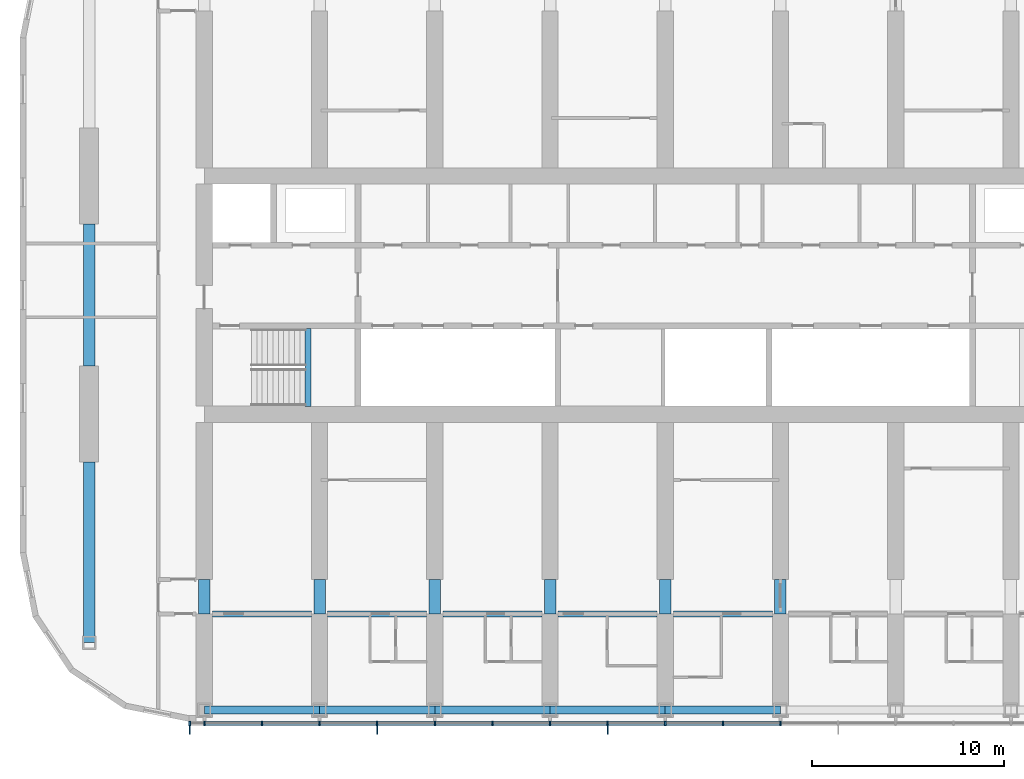
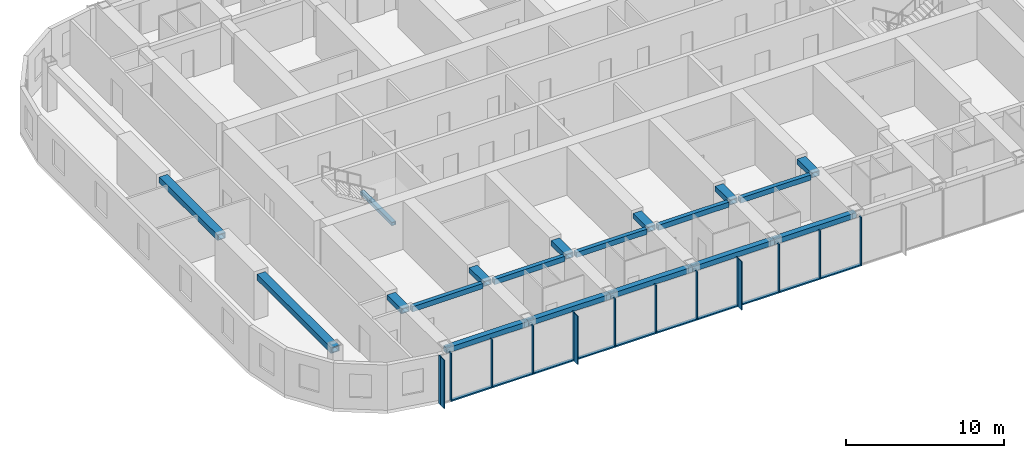
# One storey, part 2 of 22: 25 members, 19 beams, 1 element without a shape of its own.
"""IFC4 building model written with IfcOpenShell, lengths in metres."""

from ifc_helpers import new_model, si_unit, direction, frame, origin, origin_2d, place, context, subcontext, project, spatial, rectangle, hollow_rectangle, extrude, material, material_profile, profile_set, type_object, element, aggregate, save


model = new_model("IFC4")

# Units and contexts
model_context = context("Model", 3, precision=1e-05, world=origin(), true_north=direction((0.0, 1.0)))
body_context = subcontext(model_context, "Body", "Model", "MODEL_VIEW")
ifc_project = project(units=[si_unit("LENGTHUNIT", "METRE"), si_unit("AREAUNIT", "SQUARE_METRE"), si_unit("VOLUMEUNIT", "CUBIC_METRE"), si_unit("PLANEANGLEUNIT", "RADIAN"), si_unit("MASSUNIT", "GRAM", prefix="KILO")], contexts=[model_context])

# Site, building, storey
site_placement = place(None, origin())
site = spatial("IfcSite", under=ifc_project, at=site_placement, CompositionType="ELEMENT")
building_placement = place(site_placement, origin())
building = spatial("IfcBuilding", under=site, at=building_placement, Name="Orbita Commons", CompositionType="ELEMENT")
storey_placement = place(building_placement, frame((0.0, 0.0, 186.10009765625)))
storey = spatial("IfcBuildingStorey", under=building, at=storey_placement, Name="L46", CompositionType="ELEMENT", Elevation=186.10009765625)

# Curtain wall, members
ifc_material_1 = material(Name="Anodised aluminium frame, pale silver", Category="aluminium")
curtain_wall_type = type_object("IfcCurtainWallType", Name="Unitised curtain wall CW-U, full-height vision", PredefinedType="NOTDEFINED", material=ifc_material_1)
curtain_wall_placement = place(storey_placement, origin())
curtain_wall = element("IfcCurtainWall", 1, at=curtain_wall_placement, inside=storey, type_object=curtain_wall_type, Name="Curtain wall south L46", PredefinedType="NOTDEFINED")
ifc_material_2 = material(Name="Anodised aluminium, pale silver", Category="aluminium")
ifc_material_profile_1 = material_profile(ifc_material_2, rectangle(XDim=0.080078125, YDim=0.219970703125, at=origin_2d()), Name="AL 80x220")
ifc_profile_set_1 = profile_set([ifc_material_profile_1], Name="Anodised aluminium, pale silver")
member_type_1 = type_object("IfcMemberType", Name="Curtain wall mullion 80x220", PredefinedType="MULLION", material=ifc_profile_set_1)
member_1_placement = place(storey_placement, frame((17.239990234375, 9.68994140625, -0.25), z_axis=(0.0, 0.0, 1.0), x_axis=(1.0, 0.0, 0.0)))
member_1 = element("IfcMember", 2, at=member_1_placement, type_object=member_type_1, Name="Mullion 1 CW-L46-S", PredefinedType="MULLION", context=body_context, shape_type="SweptSolid", body=[
    extrude(rectangle(XDim=0.080078125, YDim=0.219970703125, at=origin_2d()), origin(), (0.0, 0.0, 1.0), 3.75),
])
member_2_placement = place(storey_placement, frame((18.0, 9.68994140625, -0.25), z_axis=(0.0, 0.0, 1.0), x_axis=(1.0, 0.0, 0.0)))
member_2 = element("IfcMember", 3, at=member_2_placement, type_object=member_type_1, Name="Mullion 2 CW-L46-S", PredefinedType="MULLION", context=body_context, shape_type="SweptSolid", body=[
    extrude(rectangle(XDim=0.080078125, YDim=0.219970703125, at=origin_2d()), origin(), (0.0, 0.0, 1.0), 3.75),
])
member_3_placement = place(storey_placement, frame((21.0, 9.68994140625, -0.25), z_axis=(0.0, 0.0, 1.0), x_axis=(1.0, 0.0, 0.0)))
member_3 = element("IfcMember", 4, at=member_3_placement, type_object=member_type_1, Name="Mullion 3 CW-L46-S", PredefinedType="MULLION", context=body_context, shape_type="SweptSolid", body=[
    extrude(rectangle(XDim=0.080078125, YDim=0.219970703125, at=origin_2d()), origin(), (0.0, 0.0, 1.0), 3.75),
])
member_4_placement = place(storey_placement, frame((24.0, 9.68994140625, -0.25), z_axis=(0.0, 0.0, 1.0), x_axis=(1.0, 0.0, 0.0)))
member_4 = element("IfcMember", 5, at=member_4_placement, type_object=member_type_1, Name="Mullion 4 CW-L46-S", PredefinedType="MULLION", context=body_context, shape_type="SweptSolid", body=[
    extrude(rectangle(XDim=0.080078125, YDim=0.219970703125, at=origin_2d()), origin(), (0.0, 0.0, 1.0), 3.75),
])
member_5_placement = place(storey_placement, frame((27.0, 9.68994140625, -0.25), z_axis=(0.0, 0.0, 1.0), x_axis=(1.0, 0.0, 0.0)))
member_5 = element("IfcMember", 6, at=member_5_placement, type_object=member_type_1, Name="Mullion 5 CW-L46-S", PredefinedType="MULLION", context=body_context, shape_type="SweptSolid", body=[
    extrude(rectangle(XDim=0.080078125, YDim=0.219970703125, at=origin_2d()), origin(), (0.0, 0.0, 1.0), 3.75),
])
member_6_placement = place(storey_placement, frame((30.0, 9.68994140625, -0.25), z_axis=(0.0, 0.0, 1.0), x_axis=(1.0, 0.0, 0.0)))
member_6 = element("IfcMember", 7, at=member_6_placement, type_object=member_type_1, Name="Mullion 6 CW-L46-S", PredefinedType="MULLION", context=body_context, shape_type="SweptSolid", body=[
    extrude(rectangle(XDim=0.080078125, YDim=0.219970703125, at=origin_2d()), origin(), (0.0, 0.0, 1.0), 3.75),
])
member_7_placement = place(storey_placement, frame((33.0, 9.68994140625, -0.25), z_axis=(0.0, 0.0, 1.0), x_axis=(1.0, 0.0, 0.0)))
member_7 = element("IfcMember", 8, at=member_7_placement, type_object=member_type_1, Name="Mullion 7 CW-L46-S", PredefinedType="MULLION", context=body_context, shape_type="SweptSolid", body=[
    extrude(rectangle(XDim=0.080078125, YDim=0.219970703125, at=origin_2d()), origin(), (0.0, 0.0, 1.0), 3.75),
])
member_8_placement = place(storey_placement, frame((36.0, 9.68994140625, -0.25), z_axis=(0.0, 0.0, 1.0), x_axis=(1.0, 0.0, 0.0)))
member_8 = element("IfcMember", 9, at=member_8_placement, type_object=member_type_1, Name="Mullion 8 CW-L46-S", PredefinedType="MULLION", context=body_context, shape_type="SweptSolid", body=[
    extrude(rectangle(XDim=0.080078125, YDim=0.219970703125, at=origin_2d()), origin(), (0.0, 0.0, 1.0), 3.75),
])
member_9_placement = place(storey_placement, frame((39.0, 9.68994140625, -0.25), z_axis=(0.0, 0.0, 1.0), x_axis=(1.0, 0.0, 0.0)))
member_9 = element("IfcMember", 10, at=member_9_placement, type_object=member_type_1, Name="Mullion 9 CW-L46-S", PredefinedType="MULLION", context=body_context, shape_type="SweptSolid", body=[
    extrude(rectangle(XDim=0.080078125, YDim=0.219970703125, at=origin_2d()), origin(), (0.0, 0.0, 1.0), 3.75),
])
member_10_placement = place(storey_placement, frame((42.0, 9.68994140625, -0.25), z_axis=(0.0, 0.0, 1.0), x_axis=(1.0, 0.0, 0.0)))
member_10 = element("IfcMember", 11, at=member_10_placement, type_object=member_type_1, Name="Mullion 10 CW-L46-S", PredefinedType="MULLION", context=body_context, shape_type="SweptSolid", body=[
    extrude(rectangle(XDim=0.080078125, YDim=0.219970703125, at=origin_2d()), origin(), (0.0, 0.0, 1.0), 3.75),
])
member_11_placement = place(storey_placement, frame((45.0, 9.68994140625, -0.25), z_axis=(0.0, 0.0, 1.0), x_axis=(1.0, 0.0, 0.0)))
member_11 = element("IfcMember", 12, at=member_11_placement, type_object=member_type_1, Name="Mullion 11 CW-L46-S", PredefinedType="MULLION", context=body_context, shape_type="SweptSolid", body=[
    extrude(rectangle(XDim=0.080078125, YDim=0.219970703125, at=origin_2d()), origin(), (0.0, 0.0, 1.0), 3.75),
])
member_12_placement = place(storey_placement, frame((48.0, 9.68994140625, -0.25), z_axis=(0.0, 0.0, 1.0), x_axis=(1.0, 0.0, 0.0)))
member_12 = element("IfcMember", 13, at=member_12_placement, type_object=member_type_1, Name="Mullion 12 CW-L46-S", PredefinedType="MULLION", context=body_context, shape_type="SweptSolid", body=[
    extrude(rectangle(XDim=0.080078125, YDim=0.219970703125, at=origin_2d()), origin(), (0.0, 0.0, 1.0), 3.75),
])
ifc_material_3 = material(Name="Anodised aluminium, pale silver", Category="aluminium")
ifc_material_profile_2 = material_profile(ifc_material_3, rectangle(XDim=0.219970703125, YDim=0.10009765625, at=origin_2d()), Name="AL 220x100")
ifc_profile_set_2 = profile_set([ifc_material_profile_2], Name="Anodised aluminium, pale silver")
member_type_2 = type_object("IfcMemberType", Name="Curtain wall stack transom 220x100", PredefinedType="USERDEFINED", material=ifc_profile_set_2)
member_13_placement = place(storey_placement, frame((18.0400390625, 9.68994140625, -0.2001953125), z_axis=(1.0, 0.0, 0.0), x_axis=(0.0, 1.0, 0.0)))
member_13 = element("IfcMember", 14, at=member_13_placement, type_object=member_type_2, Name="Transom 2.1 CW-L46-S", ObjectType="TRANSOM", PredefinedType="USERDEFINED", context=body_context, shape_type="SweptSolid", body=[
    extrude(rectangle(XDim=0.219970703125, YDim=0.10009765625, at=origin_2d()), origin(), (0.0, 0.0, 1.0), 2.919921875),
])
member_14_placement = place(storey_placement, frame((21.0400390625, 9.68994140625, -0.2001953125), z_axis=(1.0, 0.0, 0.0), x_axis=(0.0, 1.0, 0.0)))
member_14 = element("IfcMember", 15, at=member_14_placement, type_object=member_type_2, Name="Transom 3.1 CW-L46-S", ObjectType="TRANSOM", PredefinedType="USERDEFINED", context=body_context, shape_type="SweptSolid", body=[
    extrude(rectangle(XDim=0.219970703125, YDim=0.10009765625, at=origin_2d()), origin(), (0.0, 0.0, 1.0), 2.919921875),
])
member_15_placement = place(storey_placement, frame((24.0400390625, 9.68994140625, -0.2001953125), z_axis=(1.0, 0.0, 0.0), x_axis=(0.0, 1.0, 0.0)))
member_15 = element("IfcMember", 16, at=member_15_placement, type_object=member_type_2, Name="Transom 4.1 CW-L46-S", ObjectType="TRANSOM", PredefinedType="USERDEFINED", context=body_context, shape_type="SweptSolid", body=[
    extrude(rectangle(XDim=0.219970703125, YDim=0.10009765625, at=origin_2d()), origin(), (0.0, 0.0, 1.0), 2.919921875),
])
member_16_placement = place(storey_placement, frame((27.0400390625, 9.68994140625, -0.2001953125), z_axis=(1.0, 0.0, 0.0), x_axis=(0.0, 1.0, 0.0)))
member_16 = element("IfcMember", 17, at=member_16_placement, type_object=member_type_2, Name="Transom 5.1 CW-L46-S", ObjectType="TRANSOM", PredefinedType="USERDEFINED", context=body_context, shape_type="SweptSolid", body=[
    extrude(rectangle(XDim=0.219970703125, YDim=0.10009765625, at=origin_2d()), origin(), (0.0, 0.0, 1.0), 2.919921875),
])
member_17_placement = place(storey_placement, frame((30.0400390625, 9.68994140625, -0.2001953125), z_axis=(1.0, 0.0, 0.0), x_axis=(0.0, 1.0, 0.0)))
member_17 = element("IfcMember", 18, at=member_17_placement, type_object=member_type_2, Name="Transom 6.1 CW-L46-S", ObjectType="TRANSOM", PredefinedType="USERDEFINED", context=body_context, shape_type="SweptSolid", body=[
    extrude(rectangle(XDim=0.219970703125, YDim=0.10009765625, at=origin_2d()), origin(), (0.0, 0.0, 1.0), 2.919921875),
])
member_18_placement = place(storey_placement, frame((33.0400390625, 9.68994140625, -0.2001953125), z_axis=(1.0, 0.0, 0.0), x_axis=(0.0, 1.0, 0.0)))
member_18 = element("IfcMember", 19, at=member_18_placement, type_object=member_type_2, Name="Transom 7.1 CW-L46-S", ObjectType="TRANSOM", PredefinedType="USERDEFINED", context=body_context, shape_type="SweptSolid", body=[
    extrude(rectangle(XDim=0.219970703125, YDim=0.10009765625, at=origin_2d()), origin(), (0.0, 0.0, 1.0), 2.919921875),
])
member_19_placement = place(storey_placement, frame((36.0400390625, 9.68994140625, -0.2001953125), z_axis=(1.0, 0.0, 0.0), x_axis=(0.0, 1.0, 0.0)))
member_19 = element("IfcMember", 20, at=member_19_placement, type_object=member_type_2, Name="Transom 8.1 CW-L46-S", ObjectType="TRANSOM", PredefinedType="USERDEFINED", context=body_context, shape_type="SweptSolid", body=[
    extrude(rectangle(XDim=0.219970703125, YDim=0.10009765625, at=origin_2d()), origin(), (0.0, 0.0, 1.0), 2.919921875),
])
member_20_placement = place(storey_placement, frame((39.0400390625, 9.68994140625, -0.2001953125), z_axis=(1.0, 0.0, 0.0), x_axis=(0.0, 1.0, 0.0)))
member_20 = element("IfcMember", 21, at=member_20_placement, type_object=member_type_2, Name="Transom 9.1 CW-L46-S", ObjectType="TRANSOM", PredefinedType="USERDEFINED", context=body_context, shape_type="SweptSolid", body=[
    extrude(rectangle(XDim=0.219970703125, YDim=0.10009765625, at=origin_2d()), origin(), (0.0, 0.0, 1.0), 2.919921875),
])
member_21_placement = place(storey_placement, frame((42.0400390625, 9.68994140625, -0.2001953125), z_axis=(1.0, 0.0, 0.0), x_axis=(0.0, 1.0, 0.0)))
member_21 = element("IfcMember", 22, at=member_21_placement, type_object=member_type_2, Name="Transom 10.1 CW-L46-S", ObjectType="TRANSOM", PredefinedType="USERDEFINED", context=body_context, shape_type="SweptSolid", body=[
    extrude(rectangle(XDim=0.219970703125, YDim=0.10009765625, at=origin_2d()), origin(), (0.0, 0.0, 1.0), 2.919921875),
])
member_22_placement = place(storey_placement, frame((45.0400390625, 9.68994140625, -0.2001953125), z_axis=(1.0, 0.0, 0.0), x_axis=(0.0, 1.0, 0.0)))
member_22 = element("IfcMember", 23, at=member_22_placement, type_object=member_type_2, Name="Transom 11.1 CW-L46-S", ObjectType="TRANSOM", PredefinedType="USERDEFINED", context=body_context, shape_type="SweptSolid", body=[
    extrude(rectangle(XDim=0.219970703125, YDim=0.10009765625, at=origin_2d()), origin(), (0.0, 0.0, 1.0), 2.919921875),
])

# Beams
ifc_material_4 = material(Name="Steel ASTM A572 Gr 50 welded plate", Category="steel")
ifc_material_profile_3 = material_profile(ifc_material_4, hollow_rectangle(XDim=0.300048828125, YDim=0.25, WallThickness=0.02490234375, at=origin_2d()), Name="BOX 250x300x25")
ifc_profile_set_3 = profile_set([ifc_material_profile_3], Name="Steel ASTM A572 Gr 50 welded plate")
beam_type_1 = type_object("IfcBeamType", Name="Stair landing beam steel BOX 250x300x25", PredefinedType="BEAM", material=ifc_profile_set_3)
beam_1_placement = place(storey_placement, frame((23.39990234375, 26.2099609375, 1.5498046875), z_axis=(0.0, 1.0, 0.0), x_axis=(-1.0, 0.0, 0.0)))
element("IfcBeam", 24, at=beam_1_placement, inside=storey, type_object=beam_type_1, Name="Stair S1 landing beam L46 1", PredefinedType="BEAM", context=body_context, shape_type="SweptSolid", body=[
    extrude(hollow_rectangle(XDim=0.300048828125, YDim=0.25, WallThickness=0.02490234375, at=origin_2d()), origin(), (0.0, 0.0, 1.0), 4.054931640625),
])
ifc_material_5 = material(Name="Steel ASTM A572 Gr 50 welded plate", Category="steel")
ifc_material_profile_4 = material_profile(ifc_material_5, hollow_rectangle(XDim=0.300048828125, YDim=0.39990234375, WallThickness=0.0400390625, at=origin_2d()), Name="BOX 400x300x40")
ifc_profile_set_4 = profile_set([ifc_material_profile_4], Name="Steel ASTM A572 Gr 50 welded plate")
beam_type_2 = type_object("IfcBeamType", Name="Steel corridor link BOX 400x300x40", PredefinedType="BEAM", material=ifc_profile_set_4)
for number, where, z_axis, x_axis, name in (
    (25, (18.425048828125, 15.39990234375, 3.2998046875), (1.0, 0.0, 0.0), (0.0, 1.0, 0.0), "Corridor beam SA 4-5 L46"),
    (26, (24.425048828125, 15.39990234375, 3.2998046875), (1.0, 0.0, 0.0), (0.0, 1.0, 0.0), "Corridor beam SA 5-6 L46"),
    (27, (30.425048828125, 15.39990234375, 3.2998046875), (1.0, 0.0, 0.0), (0.0, 1.0, 0.0), "Corridor beam SA 6-7 L46"),
    (28, (36.425048828125, 15.39990234375, 3.2998046875), (1.0, 0.0, 0.0), (0.0, 1.0, 0.0), "Corridor beam SA 7-8 L46"),
    (29, (42.425048828125, 15.39990234375, 3.2998046875), (1.0, 0.0, 0.0), (0.0, 1.0, 0.0), "Corridor beam SA 8-9 L46"),
):
    element("IfcBeam", number, at=place(storey_placement, frame(where, z_axis=z_axis, x_axis=x_axis)), inside=storey, type_object=beam_type_2, Name=name, PredefinedType="BEAM", context=body_context, shape_type="SweptSolid", body=[
        extrude(hollow_rectangle(XDim=0.300048828125, YDim=0.39990234375, WallThickness=0.0400390625, at=origin_2d()), origin(), (0.0, 0.0, 1.0), 5.14990234375),
    ])
ifc_material_6 = material(Name="Steel ASTM A572 Gr 50 welded plate", Category="steel")
ifc_material_profile_5 = material_profile(ifc_material_6, hollow_rectangle(XDim=0.60009765625, YDim=0.39990234375, WallThickness=0.050048828125, at=origin_2d()), Name="BOX 400x600x50")
ifc_profile_set_5 = profile_set([ifc_material_profile_5], Name="Steel ASTM A572 Gr 50 welded plate")
beam_type_3 = type_object("IfcBeamType", Name="Steel coupling link BOX 400x600x50", PredefinedType="LINTEL", material=ifc_profile_set_5)
for number, where, z_axis, x_axis, name in (
    (30, (18.0, 15.39990234375, 3.2998046875), (0.0, 1.0, 0.0), (-1.0, 0.0, 0.0), "Coupling beam 4 south L46"),
    (31, (24.0, 15.39990234375, 3.2998046875), (0.0, 1.0, 0.0), (-1.0, 0.0, 0.0), "Coupling beam 5 south L46"),
    (32, (30.0, 15.39990234375, 3.2998046875), (0.0, 1.0, 0.0), (-1.0, 0.0, 0.0), "Coupling beam 6 south L46"),
    (33, (36.0, 15.39990234375, 3.2998046875), (0.0, 1.0, 0.0), (-1.0, 0.0, 0.0), "Coupling beam 7 south L46"),
    (34, (42.0, 15.39990234375, 3.2998046875), (0.0, 1.0, 0.0), (-1.0, 0.0, 0.0), "Coupling beam 8 south L46"),
    (35, (48.0, 15.39990234375, 3.2998046875), (0.0, 1.0, 0.0), (-1.0, 0.0, 0.0), "Coupling beam 9 south L46"),
):
    element("IfcBeam", number, at=place(storey_placement, frame(where, z_axis=z_axis, x_axis=x_axis)), inside=storey, type_object=beam_type_3, Name=name, PredefinedType="LINTEL", context=body_context, shape_type="SweptSolid", body=[
        extrude(hollow_rectangle(XDim=0.60009765625, YDim=0.39990234375, WallThickness=0.050048828125, at=origin_2d()), origin(), (0.0, 0.0, 1.0), 1.800048828125),
    ])
ifc_material_7 = material(Name="Steel ASTM A572 Gr 50 welded plate", Category="steel")
ifc_material_profile_6 = material_profile(ifc_material_7, hollow_rectangle(XDim=0.60009765625, YDim=0.449951171875, WallThickness=0.06005859375, at=origin_2d()), Name="BOX 450x600x60")
ifc_profile_set_6 = profile_set([ifc_material_profile_6], Name="Steel ASTM A572 Gr 50 welded plate")
beam_type_4 = type_object("IfcBeamType", Name="Steel end frame link BOX 450x600x60", PredefinedType="BEAM", material=ifc_profile_set_6)
beam_2_placement = place(storey_placement, frame((12.0, 13.89990234375, 3.27490234375), z_axis=(0.0, 1.0, 0.0), x_axis=(-1.0, 0.0, 0.0)))
element("IfcBeam", 36, at=beam_2_placement, inside=storey, type_object=beam_type_4, Name="End frame beam 3 B-C L46", PredefinedType="BEAM", context=body_context, shape_type="SweptSolid", body=[
    extrude(hollow_rectangle(XDim=0.60009765625, YDim=0.449951171875, WallThickness=0.06005859375, at=origin_2d()), origin(), (0.0, 0.0, 1.0), 9.400146484375),
])
beam_3_placement = place(storey_placement, frame((12.0, 28.300048828125, 3.27490234375), z_axis=(0.0, 1.0, 0.0), x_axis=(-1.0, 0.0, 0.0)))
element("IfcBeam", 37, at=beam_3_placement, inside=storey, type_object=beam_type_4, Name="End frame beam 3 C-D L46", PredefinedType="BEAM", context=body_context, shape_type="SweptSolid", body=[
    extrude(hollow_rectangle(XDim=0.60009765625, YDim=0.449951171875, WallThickness=0.06005859375, at=origin_2d()), origin(), (0.0, 0.0, 1.0), 7.39990234375),
])
ifc_material_8 = material(Name="Steel ASTM A572 Gr 50 welded plate", Category="steel")
ifc_material_profile_7 = material_profile(ifc_material_8, hollow_rectangle(XDim=0.39990234375, YDim=0.39990234375, WallThickness=0.0400390625, at=origin_2d()), Name="BOX 400x400x40")
ifc_profile_set_7 = profile_set([ifc_material_profile_7], Name="Steel ASTM A572 Gr 50 welded plate")
beam_type_5 = type_object("IfcBeamType", Name="Steel spandrel BOX 400x400x40", PredefinedType="SPANDREL", material=ifc_profile_set_7)
for number, where, z_axis, x_axis, name in (
    (38, (18.0, 10.39990234375, 3.2998046875), (1.0, 0.0, 0.0), (0.0, 1.0, 0.0), "Spandrel beam B 4-5 L46"),
    (39, (24.0, 10.39990234375, 3.2998046875), (1.0, 0.0, 0.0), (0.0, 1.0, 0.0), "Spandrel beam B 5-6 L46"),
    (40, (30.0, 10.39990234375, 3.2998046875), (1.0, 0.0, 0.0), (0.0, 1.0, 0.0), "Spandrel beam B 6-7 L46"),
    (41, (36.0, 10.39990234375, 3.2998046875), (1.0, 0.0, 0.0), (0.0, 1.0, 0.0), "Spandrel beam B 7-8 L46"),
    (42, (42.0, 10.39990234375, 3.2998046875), (1.0, 0.0, 0.0), (0.0, 1.0, 0.0), "Spandrel beam B 8-9 L46"),
):
    element("IfcBeam", number, at=place(storey_placement, frame(where, z_axis=z_axis, x_axis=x_axis)), inside=storey, type_object=beam_type_5, Name=name, PredefinedType="SPANDREL", context=body_context, shape_type="SweptSolid", body=[
        extrude(hollow_rectangle(XDim=0.39990234375, YDim=0.39990234375, WallThickness=0.0400390625, at=origin_2d()), origin(), (0.0, 0.0, 1.0), 6.0),
    ])

# Member
ifc_material_9 = material(Name="Anodised aluminium, pale silver", Category="aluminium")
ifc_material_profile_8 = material_profile(ifc_material_9, rectangle(XDim=0.06005859375, YDim=0.449951171875, at=origin_2d()), Name="FIN 60x450")
ifc_profile_set_8 = profile_set([ifc_material_profile_8], Name="Anodised aluminium, pale silver")
member_type_3 = type_object("IfcMemberType", Name="Vertical fin 60x450 pale aluminium", PredefinedType="USERDEFINED", material=ifc_profile_set_8)
member_23_placement = place(storey_placement, frame((17.239990234375, 9.35498046875, -0.25), z_axis=(0.0, 0.0, 1.0), x_axis=(1.0, 0.0, 0.0)))
member_23 = element("IfcMember", 43, at=member_23_placement, type_object=member_type_3, Name="Fin 1 CW-L46-S", ObjectType="FIN", PredefinedType="USERDEFINED", context=body_context, shape_type="SweptSolid", body=[
    extrude(rectangle(XDim=0.06005859375, YDim=0.449951171875, at=origin_2d()), origin(), (0.0, 0.0, 1.0), 3.75),
])

member_24_placement = place(storey_placement, frame((27.0, 9.35498046875, -0.25), z_axis=(0.0, 0.0, 1.0), x_axis=(1.0, 0.0, 0.0)))
member_24 = element("IfcMember", 44, at=member_24_placement, type_object=member_type_3, Name="Fin 5 CW-L46-S", ObjectType="FIN", PredefinedType="USERDEFINED", context=body_context, shape_type="SweptSolid", body=[
    extrude(rectangle(XDim=0.06005859375, YDim=0.449951171875, at=origin_2d()), origin(), (0.0, 0.0, 1.0), 3.75),
])

member_25_placement = place(storey_placement, frame((39.0, 9.35498046875, -0.25), z_axis=(0.0, 0.0, 1.0), x_axis=(1.0, 0.0, 0.0)))
member_25 = element("IfcMember", 45, at=member_25_placement, type_object=member_type_3, Name="Fin 9 CW-L46-S", ObjectType="FIN", PredefinedType="USERDEFINED", context=body_context, shape_type="SweptSolid", body=[
    extrude(rectangle(XDim=0.06005859375, YDim=0.449951171875, at=origin_2d()), origin(), (0.0, 0.0, 1.0), 3.75),
])

aggregate(curtain_wall, [member_1, member_23, member_2, member_3, member_4, member_5, member_24, member_6, member_7, member_8, member_9, member_25, member_10, member_11, member_12, member_13, member_14, member_15, member_16, member_17, member_18, member_19, member_20, member_21, member_22])

save(model, "model.ifc")
